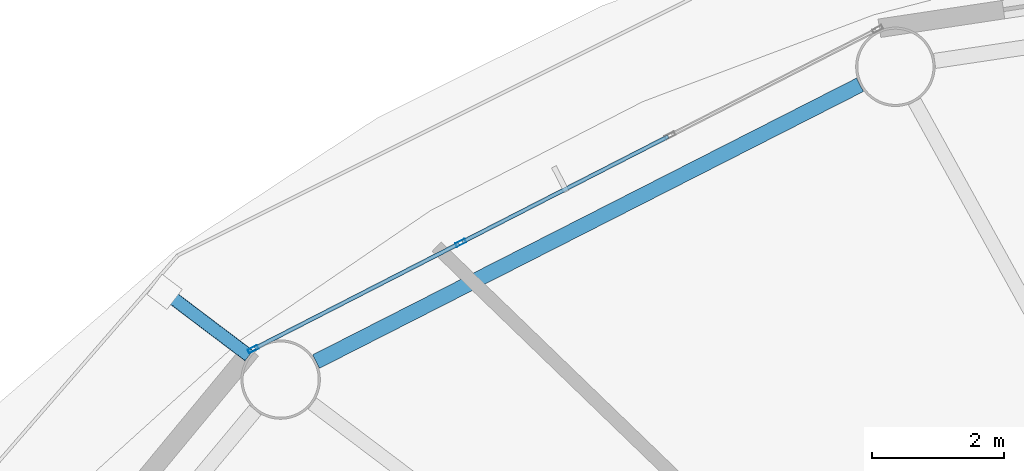
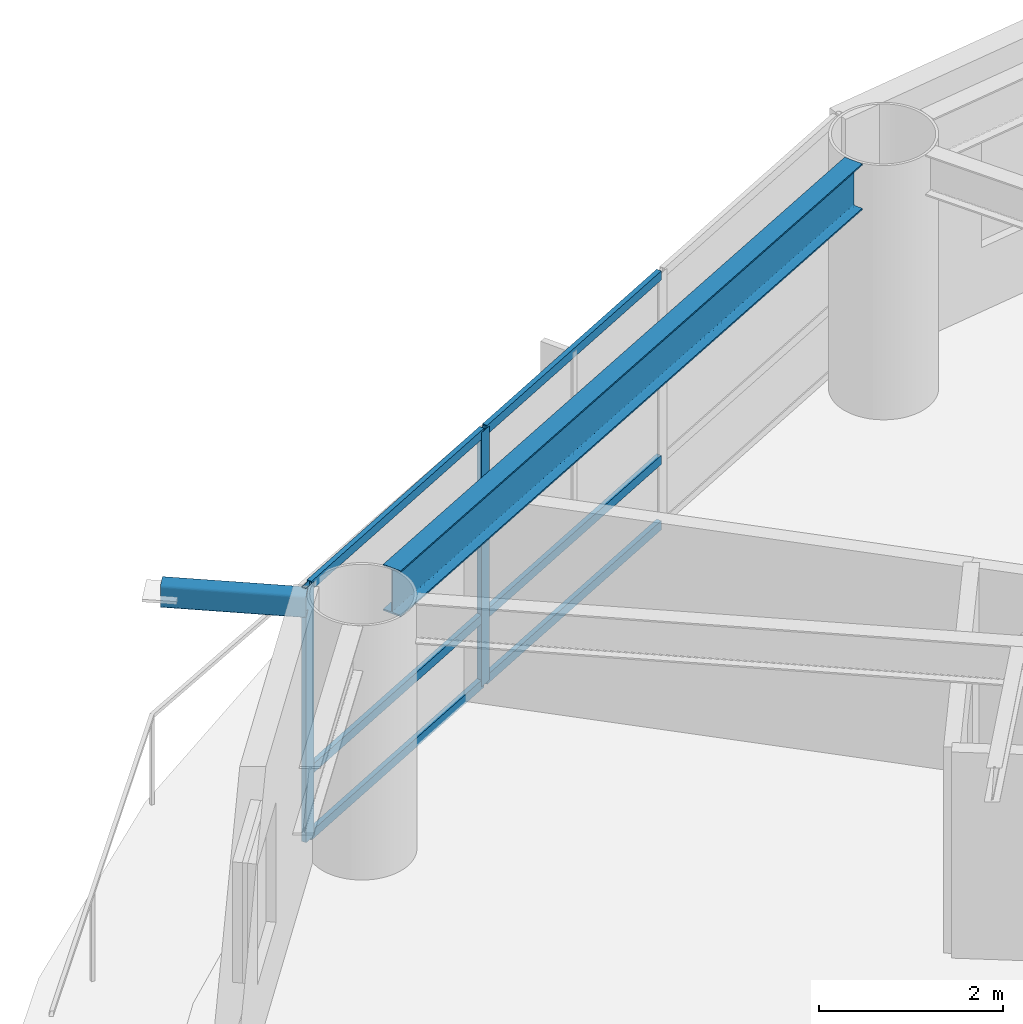
# One storey, part 8 of 24: 9 members, 1 beam, 1 element without a shape of its own.
"""IFC4 building model written with IfcOpenShell, lengths in metres."""

import ifcopenshell
import ifcopenshell.guid

model = None  # the IFC model being written
_history = None  # IfcOwnerHistory: only IFC2X3 demands one
_inside = {}  # id of a spatial element -> (the spatial element, [elements in it])
_under = {}  # id of a project, library or spatial element -> (it, [spatial elements below it])
_declared = {}  # id of a project -> (the project, [libraries it declares])
_typed = {}  # id of a type object -> (the type object, [elements of that type])
_made_of = {}  # id of a material, layer set ... -> (it, [elements and type objects made of it])


def new_model(schema):
    """Start an empty IFC model of exactly this schema.

    Asked for "IFC4X3", IfcOpenShell would pick the latest addendum, in which some entities
    have other attributes; the version numbers below select the first issue.
    IFC2X3 requires an IfcOwnerHistory on every rooted entity: one is made here for all.
    """
    global model, _history
    if schema == "IFC4X3":
        model = ifcopenshell.file(schema_version=(4, 3, 0, 0))
    else:
        model = ifcopenshell.file(schema=schema)
    _inside.clear()
    _under.clear()
    _declared.clear()
    _typed.clear()
    _made_of.clear()
    _history = None
    if model.schema == "IFC2X3":
        org = make("IfcOrganization", Name="unknown")
        user = make(
            "IfcPersonAndOrganization",
            ThePerson=make("IfcPerson", FamilyName="unknown"),
            TheOrganization=org,
        )
        app = make(
            "IfcApplication",
            ApplicationDeveloper=org,
            Version="unknown",
            ApplicationFullName="unknown",
            ApplicationIdentifier="unknown",
        )
        _history = make(
            "IfcOwnerHistory",
            OwningUser=user,
            OwningApplication=app,
            ChangeAction="ADDED",
            CreationDate=0,
        )
    return model


def make(cls, **values):
    """One entity of the class cls with the attributes given. An attribute that is None is left unset."""
    return model.create_entity(
        cls, **{name: value for name, value in values.items() if value is not None}
    )


def rooted(cls, **values):
    """An entity with a GlobalId (a new one), such as an element, a storey or a relation."""
    return make(cls, GlobalId=ifcopenshell.guid.new(), OwnerHistory=_history, **values)


def si_unit(unit_type, name, prefix=None):
    """IfcSIUnit, for example si_unit("LENGTHUNIT", "METRE", prefix="MILLI")."""
    return make("IfcSIUnit", UnitType=unit_type, Prefix=prefix, Name=name)


def assignment(units):
    """IfcUnitAssignment: the units of a project."""
    return None if units is None else make("IfcUnitAssignment", Units=units)


def point(xyz):
    """IfcCartesianPoint."""
    return None if xyz is None else make("IfcCartesianPoint", Coordinates=xyz)


def direction(xyz):
    """IfcDirection."""
    return None if xyz is None else make("IfcDirection", DirectionRatios=xyz)


def frame(location, z_axis=None, x_axis=None):
    """IfcAxis2Placement3D, a coordinate frame: its origin and axes. An axis left out is left unset."""
    return make(
        "IfcAxis2Placement3D",
        Location=point(location),
        Axis=direction(z_axis),
        RefDirection=direction(x_axis),
    )


def frame_2d(location, x_axis=None):
    """IfcAxis2Placement2D, a coordinate frame in the plane: its origin and x axis."""
    return make(
        "IfcAxis2Placement2D", Location=point(location), RefDirection=direction(x_axis)
    )


def origin():
    """The frame at (0, 0, 0) with its axes left unset."""
    return frame((0.0, 0.0, 0.0))


def origin_2d():
    """The frame at (0, 0) in the plane with its x axis left unset."""
    return frame_2d((0.0, 0.0))


def place(relative_to, where):
    """IfcLocalPlacement: puts the frame where relative to a parent placement (None: the world)."""
    return make(
        "IfcLocalPlacement", PlacementRelTo=relative_to, RelativePlacement=where
    )


def context(
    kind, dimensions, precision=None, world=None, true_north=None, identifier=None
):
    """IfcGeometricRepresentationContext, for example the 3D "Model" context."""
    return make(
        "IfcGeometricRepresentationContext",
        ContextIdentifier=identifier,
        ContextType=kind,
        CoordinateSpaceDimension=dimensions,
        Precision=precision,
        WorldCoordinateSystem=world,
        TrueNorth=true_north,
    )


def subcontext(parent, identifier, kind, view, scale=None):
    """IfcGeometricRepresentationSubContext, for example "Body" below "Model"."""
    return make(
        "IfcGeometricRepresentationSubContext",
        ContextIdentifier=identifier,
        ContextType=kind,
        ParentContext=parent,
        TargetScale=scale,
        TargetView=view,
    )


def project(units=None, contexts=None):
    """IfcProject with its units and contexts."""
    return rooted(
        "IfcProject",
        Name="project",
        RepresentationContexts=contexts,
        UnitsInContext=assignment(units),
    )


def spatial(cls, under=None, at=None, **own):
    """A site, building, storey or space (cls), placed at a placement, below another one or the project."""
    s = rooted(cls, ObjectPlacement=at, **own)
    if under is not None:
        _under.setdefault(under.id(), (under, []))[1].append(s)
    return s


def profile(cls, at=None, kind="AREA", **sizes):
    """A parametric profile (cls). Its sizes go by their IFC names, for example OverallWidth=200.0."""
    return make(cls, ProfileType=kind, Position=at, **sizes)


def hollow_rectangle(**sizes):
    """IfcRectangleHollowProfileDef."""
    return profile("IfcRectangleHollowProfileDef", **sizes)


def i_section(**sizes):
    """IfcIShapeProfileDef."""
    return profile("IfcIShapeProfileDef", **sizes)


def extrude(swept, where, along, depth):
    """IfcExtrudedAreaSolid: the profile swept, set in the frame where, extruded along a direction by depth."""
    return make(
        "IfcExtrudedAreaSolid",
        SweptArea=swept,
        Position=where,
        ExtrudedDirection=direction(along),
        Depth=depth,
    )


def shape(context_of_items, identifier, shape_type, items):
    """IfcShapeRepresentation: the items that make up one representation, for example the "Body"."""
    return make(
        "IfcShapeRepresentation",
        ContextOfItems=context_of_items,
        RepresentationIdentifier=identifier,
        RepresentationType=shape_type,
        Items=items,
    )


def material(Name=None, Category=None):
    """IfcMaterial."""
    return make("IfcMaterial", Name=Name, Category=Category)


def layer(
    of_material, thickness, ventilated=None, Name=None, Category=None, Priority=None
):
    """IfcMaterialLayer: one layer of a wall or slab, of a material (None: an air gap)."""
    return make(
        "IfcMaterialLayer",
        Material=of_material,
        LayerThickness=thickness,
        IsVentilated=ventilated,
        Name=Name,
        Category=Category,
        Priority=Priority,
    )


def layer_set(layers, Name=None):
    """IfcMaterialLayerSet."""
    return make("IfcMaterialLayerSet", MaterialLayers=layers, LayerSetName=Name)


def material_profile(
    of_material, cross_section, Name=None, Category=None, Priority=None
):
    """IfcMaterialProfile: a cross section and its material."""
    return make(
        "IfcMaterialProfile",
        Name=Name,
        Material=of_material,
        Profile=cross_section,
        Priority=Priority,
        Category=Category,
    )


def profile_set(profiles, Name=None, composite=None):
    """IfcMaterialProfileSet."""
    return make(
        "IfcMaterialProfileSet",
        Name=Name,
        MaterialProfiles=profiles,
        CompositeProfile=composite,
    )


def made_of(thing, what):
    """Note that an element or type object is made of a material, layer set ...; save() writes the relation."""
    if what is not None:
        _made_of.setdefault(what.id(), (what, []))[1].append(thing)
    return thing


def type_object(cls, material=None, **own):
    """A type object (cls), such as IfcWallType, which elements share."""
    return made_of(rooted(cls, **own), material)


def element(
    cls,
    number,
    at=None,
    inside=None,
    cuts=None,
    type_object=None,
    material=None,
    context=None,
    identifier="Body",
    shape_type=None,
    held_by="IfcProductDefinitionShape",
    body=None,
    shapes=None,
    **own,
):
    """One element of the class cls, such as IfcWall. Its Tag is "e" and its number.

    at: its placement. inside: the storey or other place that contains it. cuts: it is an
    opening in that element (IfcRelVoidsElement). A single representation is given by context,
    identifier, shape_type and body (its items); several are given by shapes. held_by: the class
    of the entity that holds the representations. save() writes the other relations.
    """
    e = rooted(cls, Tag="e%d" % number, ObjectPlacement=at, **own)
    if body is not None:
        shapes = [shape(context, identifier, shape_type, body)]
    if shapes is not None:
        e.Representation = make(held_by, Representations=shapes)
    if inside is not None:
        _inside.setdefault(inside.id(), (inside, []))[1].append(e)
    if cuts is not None:
        rooted(
            "IfcRelVoidsElement", RelatingBuildingElement=cuts, RelatedOpeningElement=e
        )
    if type_object is not None:
        _typed.setdefault(type_object.id(), (type_object, []))[1].append(e)
    return made_of(e, material)


def aggregate(whole, parts):
    """IfcRelAggregates: a whole, such as a stair, and the parts it consists of."""
    return rooted("IfcRelAggregates", RelatingObject=whole, RelatedObjects=parts)


def save(model, path):
    """Write the relations noted so far, then the file.

    IfcRelAggregates (storeys below a building ...), IfcRelContainedInSpatialStructure (elements
    in a storey), IfcRelDefinesByType, IfcRelAssociatesMaterial and IfcRelDeclares: one each for
    every whole, place, type object, material and project.
    """
    for whole, parts in _under.values():
        aggregate(whole, parts)
    for where, things in _inside.values():
        rooted(
            "IfcRelContainedInSpatialStructure",
            RelatedElements=things,
            RelatingStructure=where,
        )
    for kind, things in _typed.values():
        rooted("IfcRelDefinesByType", RelatedObjects=things, RelatingType=kind)
    for what, things in _made_of.values():
        rooted("IfcRelAssociatesMaterial", RelatedObjects=things, RelatingMaterial=what)
    for by, libraries in _declared.values():
        rooted("IfcRelDeclares", RelatingContext=by, RelatedDefinitions=libraries)
    model.write(path)


model = new_model("IFC4")

# Units and contexts
model_context = context("Model", 3, precision=1e-05, world=origin(), true_north=direction((0.0, 1.0)))
body_context = subcontext(model_context, "Body", "Model", "MODEL_VIEW")
ifc_project = project(units=[si_unit("LENGTHUNIT", "METRE"), si_unit("AREAUNIT", "SQUARE_METRE"), si_unit("VOLUMEUNIT", "CUBIC_METRE"), si_unit("PLANEANGLEUNIT", "RADIAN"), si_unit("MASSUNIT", "GRAM", prefix="KILO")], contexts=[model_context])

# Site, building, storey
site_placement = place(None, origin())
site = spatial("IfcSite", under=ifc_project, at=site_placement, CompositionType="ELEMENT")
building_placement = place(site_placement, origin())
building = spatial("IfcBuilding", under=site, at=building_placement, Name="Sarneth Arch Tower", CompositionType="ELEMENT")
storey_placement = place(building_placement, frame((0.0, 0.0, 98.39990234375)))
storey = spatial("IfcBuildingStorey", under=building, at=storey_placement, Name="L24", CompositionType="ELEMENT", Elevation=98.39990234375)

# Beam
ifc_material_1 = material(Name="Steel S355", Category="steel")
ifc_material_profile_1 = material_profile(ifc_material_1, i_section(OverallWidth=0.22900390625, OverallDepth=0.612060546875, WebThickness=0.011962890625, FlangeThickness=0.01953125, FilletRadius=0.01904296875, at=origin_2d()), Name="W610x125")
ifc_profile_set_1 = profile_set([ifc_material_profile_1], Name="Steel S355")
beam_type = type_object("IfcBeamType", Name="BM-SPAN-610C", PredefinedType="SPANDREL", material=ifc_profile_set_1)
beam_placement = place(storey_placement, frame((36.35498046875, 61.868408203125, 3.07421875), z_axis=(-0.891259443414, -0.453493775619, 0.0), x_axis=(0.453493775619, -0.891259443414, 0.0)))
element("IfcBeam", 1, at=beam_placement, inside=storey, type_object=beam_type, Name="L24 Perimeter spandrel beam 06", PredefinedType="SPANDREL", context=body_context, shape_type="SweptSolid", body=[
    extrude(i_section(OverallWidth=0.22900390625, OverallDepth=0.612060546875, WebThickness=0.011962890625, FlangeThickness=0.01953125, FilletRadius=0.01904296875, at=origin_2d()), origin(), (0.0, 0.0, 1.0), 9.220458984375),
])

# Curtain wall, members
ifc_material_2 = material(Name="Anodised aluminium Type AA25 and solar-control low-e laminated IGU", Category="aluminium")
ifc_layer = layer(ifc_material_2, 0.159912109375)
ifc_layer_set = layer_set([ifc_layer], Name="Anodised aluminium Type AA25 and solar-control low-e laminated IGU")
curtain_wall_type = type_object("IfcCurtainWallType", Name="CW-HOTEL-MID", PredefinedType="NOTDEFINED", material=ifc_layer_set)
curtain_wall_placement = place(storey_placement, origin())
curtain_wall = element("IfcCurtainWall", 2, at=curtain_wall_placement, inside=storey, type_object=curtain_wall_type, Name="L24 Unitised curtain wall facet 06", PredefinedType="NOTDEFINED")
ifc_material_3 = material(Name="Anodised Aluminium 6063-T6", Category="aluminium")
ifc_material_profile_2 = material_profile(ifc_material_3, hollow_rectangle(XDim=0.06005859375, YDim=0.159912109375, WallThickness=0.00390625, at=origin_2d()), Name="AL-MULL-160x60x4")
ifc_profile_set_2 = profile_set([ifc_material_profile_2], Name="Anodised Aluminium 6063-T6")
member_type_1 = type_object("IfcMemberType", Name="CW-MULLION", PredefinedType="MULLION", material=ifc_profile_set_2)
member_1_placement = place(storey_placement, frame((30.322998046875, 59.481201171875, 0.0), z_axis=(0.0, 0.0, 1.0), x_axis=(0.456031365356, -0.889963703649, 0.0)))
member_1 = element("IfcMember", 3, at=member_1_placement, type_object=member_type_1, Name="CW-SYS-4 mullion 3", PredefinedType="MULLION", context=body_context, shape_type="SweptSolid", body=[
    extrude(hollow_rectangle(XDim=0.06005859375, YDim=0.159912109375, WallThickness=0.00390625, at=origin_2d()), origin(), (0.0, 0.0, 1.0), 3.380126953125),
])
member_2_placement = place(storey_placement, frame((27.186767578125, 57.8740234375, 0.0), z_axis=(0.0, 0.0, 1.0), x_axis=(0.456031365356, -0.889963703649, 0.0)))
member_2 = element("IfcMember", 4, at=member_2_placement, type_object=member_type_1, Name="CW-SYS-4 mullion 4", PredefinedType="MULLION", context=body_context, shape_type="SweptSolid", body=[
    extrude(hollow_rectangle(XDim=0.06005859375, YDim=0.159912109375, WallThickness=0.00390625, at=origin_2d()), origin(), (0.0, 0.0, 1.0), 3.380126953125),
])
ifc_material_4 = material(Name="Anodised Aluminium 6063-T6", Category="aluminium")
ifc_material_profile_3 = material_profile(ifc_material_4, hollow_rectangle(XDim=0.06005859375, YDim=0.1201171875, WallThickness=0.00390625, at=origin_2d()), Name="AL-TRAN-120x60x4")
ifc_profile_set_3 = profile_set([ifc_material_profile_3], Name="Anodised Aluminium 6063-T6")
member_type_2 = type_object("IfcMemberType", Name="CW-TRANSOM", PredefinedType="USERDEFINED", material=ifc_profile_set_3)
member_3_placement = place(storey_placement, frame((33.459228515625, 61.088134765625, 0.030029296875), z_axis=(-0.889981813856, -0.455996020823, 0.0), x_axis=(0.455996020823, -0.889981813856, 0.0)))
member_3 = element("IfcMember", 5, at=member_3_placement, type_object=member_type_2, Name="CW-SYS-4 transom 2.1", ObjectType="TRANSOM", PredefinedType="USERDEFINED", context=body_context, shape_type="SweptSolid", body=[
    extrude(hollow_rectangle(XDim=0.06005859375, YDim=0.1201171875, WallThickness=0.00390625, at=origin_2d()), origin(), (0.0, 0.0, 1.0), 3.494140625),
])
member_4_placement = place(storey_placement, frame((33.459228515625, 61.088134765625, 0.900146484375), z_axis=(-0.889981813856, -0.455996020823, 0.0), x_axis=(0.455996020823, -0.889981813856, 0.0)))
member_4 = element("IfcMember", 6, at=member_4_placement, type_object=member_type_2, Name="CW-SYS-4 transom 2.2", ObjectType="TRANSOM", PredefinedType="USERDEFINED", context=body_context, shape_type="SweptSolid", body=[
    extrude(hollow_rectangle(XDim=0.06005859375, YDim=0.1201171875, WallThickness=0.00390625, at=origin_2d()), origin(), (0.0, 0.0, 1.0), 3.494140625),
])
member_5_placement = place(storey_placement, frame((33.459228515625, 61.088134765625, 3.35009765625), z_axis=(-0.889981813856, -0.455996020823, 0.0), x_axis=(0.455996020823, -0.889981813856, 0.0)))
member_5 = element("IfcMember", 7, at=member_5_placement, type_object=member_type_2, Name="CW-SYS-4 transom 2.3", ObjectType="TRANSOM", PredefinedType="USERDEFINED", context=body_context, shape_type="SweptSolid", body=[
    extrude(hollow_rectangle(XDim=0.06005859375, YDim=0.1201171875, WallThickness=0.00390625, at=origin_2d()), origin(), (0.0, 0.0, 1.0), 3.494140625),
])
member_6_placement = place(storey_placement, frame((30.296142578125, 59.467529296875, 0.030029296875), z_axis=(-0.889942905184, -0.456071952122, 0.0), x_axis=(0.456071952122, -0.889942905184, 0.0)))
member_6 = element("IfcMember", 8, at=member_6_placement, type_object=member_type_2, Name="CW-SYS-4 transom 3.1", ObjectType="TRANSOM", PredefinedType="USERDEFINED", context=body_context, shape_type="SweptSolid", body=[
    extrude(hollow_rectangle(XDim=0.06005859375, YDim=0.1201171875, WallThickness=0.00390625, at=origin_2d()), origin(), (0.0, 0.0, 1.0), 3.464111328125),
])
member_7_placement = place(storey_placement, frame((30.296142578125, 59.467529296875, 0.900146484375), z_axis=(-0.889942905184, -0.456071952122, 0.0), x_axis=(0.456071952122, -0.889942905184, 0.0)))
member_7 = element("IfcMember", 9, at=member_7_placement, type_object=member_type_2, Name="CW-SYS-4 transom 3.2", ObjectType="TRANSOM", PredefinedType="USERDEFINED", context=body_context, shape_type="SweptSolid", body=[
    extrude(hollow_rectangle(XDim=0.06005859375, YDim=0.1201171875, WallThickness=0.00390625, at=origin_2d()), origin(), (0.0, 0.0, 1.0), 3.464111328125),
])
member_8_placement = place(storey_placement, frame((30.296142578125, 59.467529296875, 3.35009765625), z_axis=(-0.889942905184, -0.456071952122, 0.0), x_axis=(0.456071952122, -0.889942905184, 0.0)))
member_8 = element("IfcMember", 10, at=member_8_placement, type_object=member_type_2, Name="CW-SYS-4 transom 3.3", ObjectType="TRANSOM", PredefinedType="USERDEFINED", context=body_context, shape_type="SweptSolid", body=[
    extrude(hollow_rectangle(XDim=0.06005859375, YDim=0.1201171875, WallThickness=0.00390625, at=origin_2d()), origin(), (0.0, 0.0, 1.0), 3.464111328125),
])
aggregate(curtain_wall, [member_1, member_2, member_3, member_4, member_5, member_6, member_7, member_8])

# Member
ifc_material_5 = material(Name="Steel S355", Category="steel")
ifc_material_profile_4 = material_profile(ifc_material_5, hollow_rectangle(XDim=0.199951171875, YDim=0.300048828125, WallThickness=0.012451171875, InnerFilletRadius=0.018798828125, OuterFilletRadius=0.03125, at=origin_2d()), Name="RHS300x200x12.5")
ifc_profile_set_4 = profile_set([ifc_material_profile_4], Name="Steel S355")
member_type_3 = type_object("IfcMemberType", Name="MEM-CANT-STRUT", PredefinedType="STRUT", material=ifc_profile_set_4)
member_9_placement = place(storey_placement, frame((27.123779296875, 57.776611328125, 3.22021484375), z_axis=(-0.797813442854, 0.602904395739, 0.0), x_axis=(-0.602904395739, -0.797813442854, 0.0)))
element("IfcMember", 11, at=member_9_placement, inside=storey, type_object=member_type_3, Name="L24 Balcony cantilever bracket 07", PredefinedType="STRUT", context=body_context, shape_type="SweptSolid", body=[
    extrude(hollow_rectangle(XDim=0.199951171875, YDim=0.300048828125, WallThickness=0.012451171875, InnerFilletRadius=0.018798828125, OuterFilletRadius=0.03125, at=origin_2d()), origin(), (0.0, 0.0, 1.0), 1.598388671875),
])

save(model, "model.ifc")
